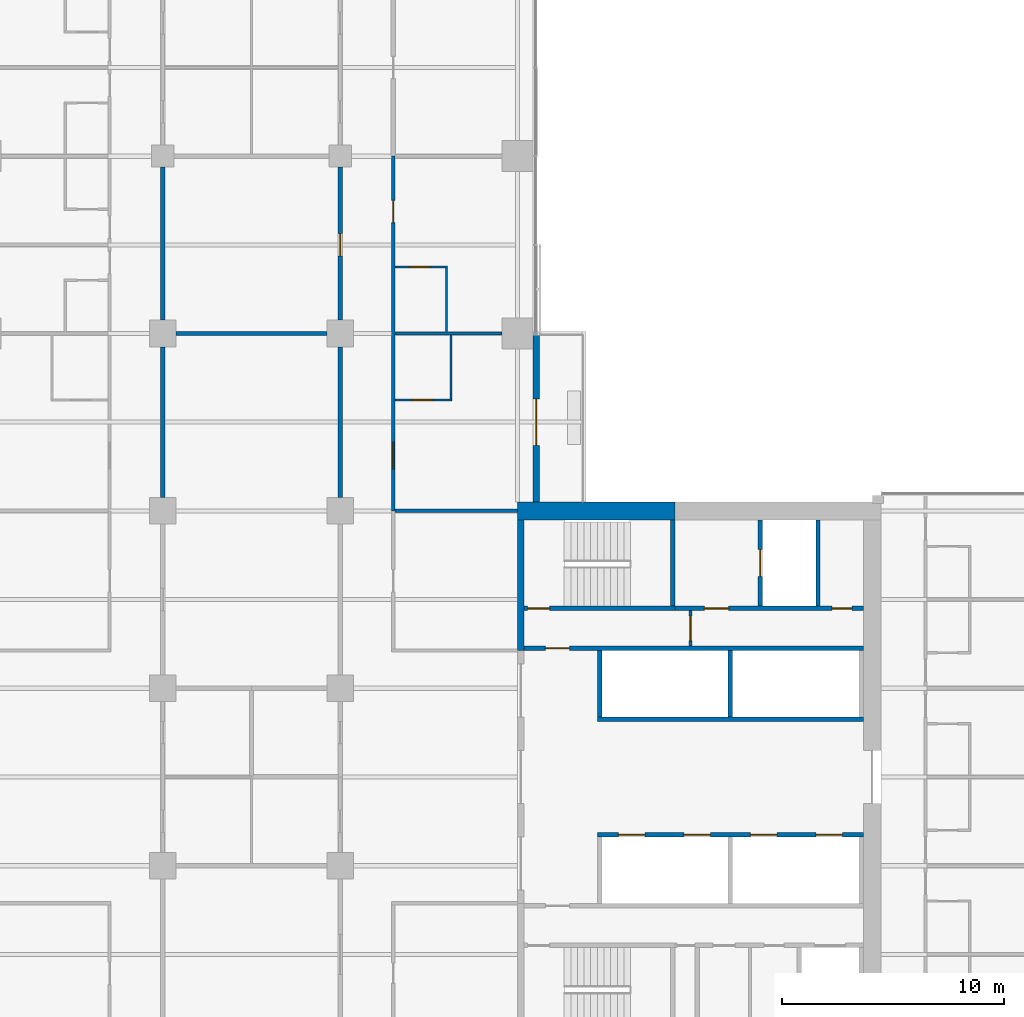
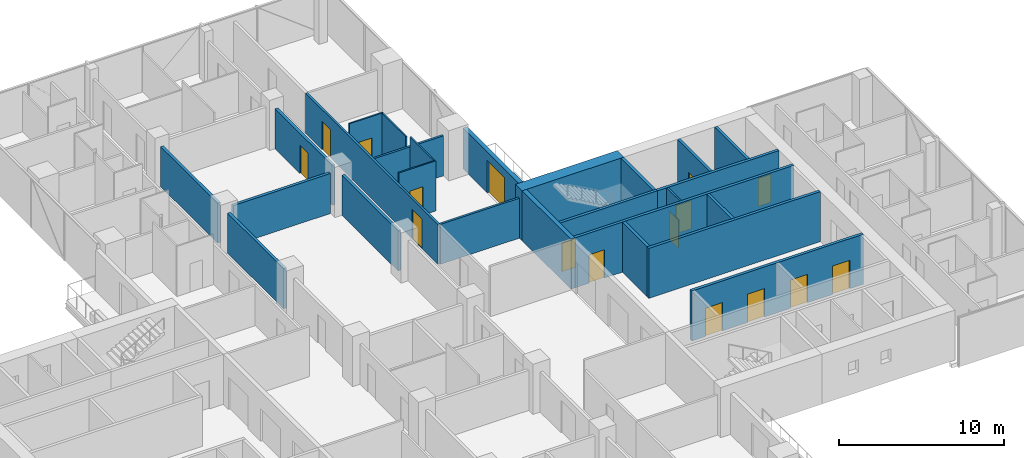
# One storey, part 20 of 27: 26 walls, 16 doors, 16 openings.
"""IFC4 building model written with IfcOpenShell, lengths in metres."""

import ifcopenshell
import ifcopenshell.guid

model = None  # the IFC model being written
_history = None  # IfcOwnerHistory: only IFC2X3 demands one
_inside = {}  # id of a spatial element -> (the spatial element, [elements in it])
_under = {}  # id of a project, library or spatial element -> (it, [spatial elements below it])
_declared = {}  # id of a project -> (the project, [libraries it declares])
_typed = {}  # id of a type object -> (the type object, [elements of that type])
_made_of = {}  # id of a material, layer set ... -> (it, [elements and type objects made of it])


def new_model(schema):
    """Start an empty IFC model of exactly this schema.

    Asked for "IFC4X3", IfcOpenShell would pick the latest addendum, in which some entities
    have other attributes; the version numbers below select the first issue.
    IFC2X3 requires an IfcOwnerHistory on every rooted entity: one is made here for all.
    """
    global model, _history
    if schema == "IFC4X3":
        model = ifcopenshell.file(schema_version=(4, 3, 0, 0))
    else:
        model = ifcopenshell.file(schema=schema)
    _inside.clear()
    _under.clear()
    _declared.clear()
    _typed.clear()
    _made_of.clear()
    _history = None
    if model.schema == "IFC2X3":
        org = make("IfcOrganization", Name="unknown")
        user = make(
            "IfcPersonAndOrganization",
            ThePerson=make("IfcPerson", FamilyName="unknown"),
            TheOrganization=org,
        )
        app = make(
            "IfcApplication",
            ApplicationDeveloper=org,
            Version="unknown",
            ApplicationFullName="unknown",
            ApplicationIdentifier="unknown",
        )
        _history = make(
            "IfcOwnerHistory",
            OwningUser=user,
            OwningApplication=app,
            ChangeAction="ADDED",
            CreationDate=0,
        )
    return model


def make(cls, **values):
    """One entity of the class cls with the attributes given. An attribute that is None is left unset."""
    return model.create_entity(
        cls, **{name: value for name, value in values.items() if value is not None}
    )


def rooted(cls, **values):
    """An entity with a GlobalId (a new one), such as an element, a storey or a relation."""
    return make(cls, GlobalId=ifcopenshell.guid.new(), OwnerHistory=_history, **values)


def si_unit(unit_type, name, prefix=None):
    """IfcSIUnit, for example si_unit("LENGTHUNIT", "METRE", prefix="MILLI")."""
    return make("IfcSIUnit", UnitType=unit_type, Prefix=prefix, Name=name)


def assignment(units):
    """IfcUnitAssignment: the units of a project."""
    return None if units is None else make("IfcUnitAssignment", Units=units)


def point(xyz):
    """IfcCartesianPoint."""
    return None if xyz is None else make("IfcCartesianPoint", Coordinates=xyz)


def direction(xyz):
    """IfcDirection."""
    return None if xyz is None else make("IfcDirection", DirectionRatios=xyz)


def frame(location, z_axis=None, x_axis=None):
    """IfcAxis2Placement3D, a coordinate frame: its origin and axes. An axis left out is left unset."""
    return make(
        "IfcAxis2Placement3D",
        Location=point(location),
        Axis=direction(z_axis),
        RefDirection=direction(x_axis),
    )


def frame_2d(location, x_axis=None):
    """IfcAxis2Placement2D, a coordinate frame in the plane: its origin and x axis."""
    return make(
        "IfcAxis2Placement2D", Location=point(location), RefDirection=direction(x_axis)
    )


def origin():
    """The frame at (0, 0, 0) with its axes left unset."""
    return frame((0.0, 0.0, 0.0))


def place(relative_to, where):
    """IfcLocalPlacement: puts the frame where relative to a parent placement (None: the world)."""
    return make(
        "IfcLocalPlacement", PlacementRelTo=relative_to, RelativePlacement=where
    )


def context(
    kind, dimensions, precision=None, world=None, true_north=None, identifier=None
):
    """IfcGeometricRepresentationContext, for example the 3D "Model" context."""
    return make(
        "IfcGeometricRepresentationContext",
        ContextIdentifier=identifier,
        ContextType=kind,
        CoordinateSpaceDimension=dimensions,
        Precision=precision,
        WorldCoordinateSystem=world,
        TrueNorth=true_north,
    )


def subcontext(parent, identifier, kind, view, scale=None):
    """IfcGeometricRepresentationSubContext, for example "Body" below "Model"."""
    return make(
        "IfcGeometricRepresentationSubContext",
        ContextIdentifier=identifier,
        ContextType=kind,
        ParentContext=parent,
        TargetScale=scale,
        TargetView=view,
    )


def project(units=None, contexts=None):
    """IfcProject with its units and contexts."""
    return rooted(
        "IfcProject",
        Name="project",
        RepresentationContexts=contexts,
        UnitsInContext=assignment(units),
    )


def spatial(cls, under=None, at=None, **own):
    """A site, building, storey or space (cls), placed at a placement, below another one or the project."""
    s = rooted(cls, ObjectPlacement=at, **own)
    if under is not None:
        _under.setdefault(under.id(), (under, []))[1].append(s)
    return s


def profile(cls, at=None, kind="AREA", **sizes):
    """A parametric profile (cls). Its sizes go by their IFC names, for example OverallWidth=200.0."""
    return make(cls, ProfileType=kind, Position=at, **sizes)


def rectangle(**sizes):
    """IfcRectangleProfileDef."""
    return profile("IfcRectangleProfileDef", **sizes)


def extrude(swept, where, along, depth):
    """IfcExtrudedAreaSolid: the profile swept, set in the frame where, extruded along a direction by depth."""
    return make(
        "IfcExtrudedAreaSolid",
        SweptArea=swept,
        Position=where,
        ExtrudedDirection=direction(along),
        Depth=depth,
    )


def shape(context_of_items, identifier, shape_type, items):
    """IfcShapeRepresentation: the items that make up one representation, for example the "Body"."""
    return make(
        "IfcShapeRepresentation",
        ContextOfItems=context_of_items,
        RepresentationIdentifier=identifier,
        RepresentationType=shape_type,
        Items=items,
    )


def material(Name=None, Category=None):
    """IfcMaterial."""
    return make("IfcMaterial", Name=Name, Category=Category)


def layer(
    of_material, thickness, ventilated=None, Name=None, Category=None, Priority=None
):
    """IfcMaterialLayer: one layer of a wall or slab, of a material (None: an air gap)."""
    return make(
        "IfcMaterialLayer",
        Material=of_material,
        LayerThickness=thickness,
        IsVentilated=ventilated,
        Name=Name,
        Category=Category,
        Priority=Priority,
    )


def layer_set(layers, Name=None):
    """IfcMaterialLayerSet."""
    return make("IfcMaterialLayerSet", MaterialLayers=layers, LayerSetName=Name)


def constituent(of_material, Name=None, Category=None, fraction=None):
    """IfcMaterialConstituent: one of the materials an element consists of."""
    return make(
        "IfcMaterialConstituent",
        Name=Name,
        Material=of_material,
        Fraction=fraction,
        Category=Category,
    )


def constituent_set(constituents=None, Name=None):
    """IfcMaterialConstituentSet."""
    return make(
        "IfcMaterialConstituentSet", Name=Name, MaterialConstituents=constituents
    )


def made_of(thing, what):
    """Note that an element or type object is made of a material, layer set ...; save() writes the relation."""
    if what is not None:
        _made_of.setdefault(what.id(), (what, []))[1].append(thing)
    return thing


def type_object(cls, material=None, **own):
    """A type object (cls), such as IfcWallType, which elements share."""
    return made_of(rooted(cls, **own), material)


def element(
    cls,
    number,
    at=None,
    inside=None,
    cuts=None,
    type_object=None,
    material=None,
    context=None,
    identifier="Body",
    shape_type=None,
    held_by="IfcProductDefinitionShape",
    body=None,
    shapes=None,
    **own,
):
    """One element of the class cls, such as IfcWall. Its Tag is "e" and its number.

    at: its placement. inside: the storey or other place that contains it. cuts: it is an
    opening in that element (IfcRelVoidsElement). A single representation is given by context,
    identifier, shape_type and body (its items); several are given by shapes. held_by: the class
    of the entity that holds the representations. save() writes the other relations.
    """
    e = rooted(cls, Tag="e%d" % number, ObjectPlacement=at, **own)
    if body is not None:
        shapes = [shape(context, identifier, shape_type, body)]
    if shapes is not None:
        e.Representation = make(held_by, Representations=shapes)
    if inside is not None:
        _inside.setdefault(inside.id(), (inside, []))[1].append(e)
    if cuts is not None:
        rooted(
            "IfcRelVoidsElement", RelatingBuildingElement=cuts, RelatedOpeningElement=e
        )
    if type_object is not None:
        _typed.setdefault(type_object.id(), (type_object, []))[1].append(e)
    return made_of(e, material)


def fill(opening, filler):
    """IfcRelFillsElement: the door or window that sits in an opening."""
    return rooted(
        "IfcRelFillsElement",
        RelatingOpeningElement=opening,
        RelatedBuildingElement=filler,
    )


def aggregate(whole, parts):
    """IfcRelAggregates: a whole, such as a stair, and the parts it consists of."""
    return rooted("IfcRelAggregates", RelatingObject=whole, RelatedObjects=parts)


def save(model, path):
    """Write the relations noted so far, then the file.

    IfcRelAggregates (storeys below a building ...), IfcRelContainedInSpatialStructure (elements
    in a storey), IfcRelDefinesByType, IfcRelAssociatesMaterial and IfcRelDeclares: one each for
    every whole, place, type object, material and project.
    """
    for whole, parts in _under.values():
        aggregate(whole, parts)
    for where, things in _inside.values():
        rooted(
            "IfcRelContainedInSpatialStructure",
            RelatedElements=things,
            RelatingStructure=where,
        )
    for kind, things in _typed.values():
        rooted("IfcRelDefinesByType", RelatedObjects=things, RelatingType=kind)
    for what, things in _made_of.values():
        rooted("IfcRelAssociatesMaterial", RelatedObjects=things, RelatingMaterial=what)
    for by, libraries in _declared.values():
        rooted("IfcRelDeclares", RelatingContext=by, RelatedDefinitions=libraries)
    model.write(path)


model = new_model("IFC4")

# Units and contexts
model_context = context("Model", 3, precision=1e-05, world=origin(), true_north=direction((0.0, 1.0)))
body_context = subcontext(model_context, "Body", "Model", "MODEL_VIEW")
ifc_project = project(units=[si_unit("LENGTHUNIT", "METRE"), si_unit("AREAUNIT", "SQUARE_METRE"), si_unit("VOLUMEUNIT", "CUBIC_METRE"), si_unit("PLANEANGLEUNIT", "RADIAN"), si_unit("MASSUNIT", "GRAM", prefix="KILO")], contexts=[model_context])

# Site, building, storey
site_placement = place(None, origin())
site = spatial("IfcSite", under=ifc_project, at=site_placement, CompositionType="ELEMENT")
building_placement = place(site_placement, origin())
building = spatial("IfcBuilding", under=site, at=building_placement, Name="Crosswind Convention Tower", CompositionType="ELEMENT")
storey_placement = place(building_placement, frame((0.0, 0.0, 90.5)))
storey = spatial("IfcBuildingStorey", under=building, at=storey_placement, Name="L17", CompositionType="ELEMENT", Elevation=90.5)

# Walls
ifc_material_1 = material(Name="Concrete C50/60", Category="concrete")
ifc_layer_1 = layer(ifc_material_1, 0.300048828125)
ifc_layer_set_1 = layer_set([ifc_layer_1], Name="Concrete C50/60")
wall_type_1 = type_object("IfcWallType", Name="Concrete inner core wall 300", PredefinedType="SHEAR", material=ifc_layer_set_1)
wall_1_placement = place(storey_placement, frame((137.14990234375, 105.699951171875, 0.0), z_axis=(0.0, 0.0, 1.0), x_axis=(0.0, 1.0, 0.0)))
element("IfcWall", 1, at=wall_1_placement, inside=storey, type_object=wall_type_1, Name="Wall EP E L17", PredefinedType="SHEAR", context=body_context, shape_type="SweptSolid", body=[
    extrude(rectangle(XDim=5.900146484375, YDim=0.300048828125, at=frame_2d((2.9501953125, 0.0))), origin(), (0.0, 0.0, 1.0), 3.699951171875),
])
ifc_layer_2 = layer(ifc_material_1, 0.199951171875)
ifc_layer_set_2 = layer_set([ifc_layer_2], Name="Concrete C50/60")
wall_type_2 = type_object("IfcWallType", Name="Concrete shaft and stair wall 200", PredefinedType="SHEAR", material=ifc_layer_set_2)
for number, where, z_axis, x_axis, name in (
    (2, (140.699951171875, 102.699951171875, 0.0), (0.0, 0.0, 1.0), (0.0, 1.0, 0.0), "Wall RPEND E L17"),
    (3, (146.60009765625, 102.699951171875, 0.0), (0.0, 0.0, 1.0), (0.0, 1.0, 0.0), "Wall RPSEP E L17"),
):
    element("IfcWall", number, at=place(storey_placement, frame(where, z_axis=z_axis, x_axis=x_axis)), inside=storey, type_object=wall_type_2, Name=name, PredefinedType="SHEAR", context=body_context, shape_type="SweptSolid", body=[
        extrude(rectangle(XDim=3.0, YDim=0.199951171875, at=frame_2d((1.5, 0.0))), origin(), (0.0, 0.0, 1.0), 3.699951171875),
    ])
wall_2_placement = place(storey_placement, frame((140.60009765625, 102.60009765625, 0.0), z_axis=(0.0, 0.0, 1.0), x_axis=(1.0, 0.0, 0.0)))
element("IfcWall", 4, at=wall_2_placement, inside=storey, type_object=wall_type_2, Name="Wall RPFRONT E L17", PredefinedType="SHEAR", context=body_context, shape_type="SweptSolid", body=[
    extrude(rectangle(XDim=12.0, YDim=0.199951171875, at=frame_2d((6.0, 0.0))), origin(), (0.0, 0.0, 1.0), 3.699951171875),
])

# Wall, openings, doors
wall_3_placement = place(storey_placement, frame((140.60009765625, 97.39990234375, 0.0), z_axis=(0.0, 0.0, 1.0), x_axis=(1.0, 0.0, 0.0)))
wall_3 = element("IfcWall", 5, at=wall_3_placement, inside=storey, type_object=wall_type_2, Name="Wall RMFRONT E L17", PredefinedType="SHEAR", context=body_context, shape_type="SweptSolid", body=[
    extrude(rectangle(XDim=12.0, YDim=0.199951171875, at=frame_2d((6.0, 0.0))), origin(), (0.0, 0.0, 1.0), 3.699951171875),
])
opening_1_placement = place(wall_3_placement, frame((0.949951171875, 0.0, 0.0)))
opening_1 = element("IfcOpeningElement", 6, at=opening_1_placement, cuts=wall_3, Name="Opening LD1", PredefinedType="OPENING", context=body_context, shape_type="SweptSolid", body=[
    extrude(rectangle(XDim=1.199951171875, YDim=2.10009765625, at=frame_2d((0.60009765625, 1.050048828125))), frame((0.0, 0.10986328125, 0.0), z_axis=(0.0, -1.0, 0.0), x_axis=(1.0, 0.0, 0.0)), (0.0, 0.0, 1.0), 0.219970703125),
])
opening_2_placement = place(wall_3_placement, frame((3.89990234375, 0.0, 0.0)))
opening_2 = element("IfcOpeningElement", 7, at=opening_2_placement, cuts=wall_3, Name="Opening LD1", PredefinedType="OPENING", context=body_context, shape_type="SweptSolid", body=[
    extrude(rectangle(XDim=1.199951171875, YDim=2.10009765625, at=frame_2d((0.60009765625, 1.050048828125))), frame((0.0, 0.10986328125, 0.0), z_axis=(0.0, -1.0, 0.0), x_axis=(1.0, 0.0, 0.0)), (0.0, 0.0, 1.0), 0.219970703125),
])
opening_3_placement = place(wall_3_placement, frame((6.89990234375, 0.0, 0.0)))
opening_3 = element("IfcOpeningElement", 8, at=opening_3_placement, cuts=wall_3, Name="Opening LD1", PredefinedType="OPENING", context=body_context, shape_type="SweptSolid", body=[
    extrude(rectangle(XDim=1.199951171875, YDim=2.10009765625, at=frame_2d((0.60009765625, 1.050048828125))), frame((0.0, 0.10986328125, 0.0), z_axis=(0.0, -1.0, 0.0), x_axis=(1.0, 0.0, 0.0)), (0.0, 0.0, 1.0), 0.219970703125),
])
opening_4_placement = place(wall_3_placement, frame((9.85009765625, 0.0, 0.0)))
opening_4 = element("IfcOpeningElement", 9, at=opening_4_placement, cuts=wall_3, Name="Opening LD1", PredefinedType="OPENING", context=body_context, shape_type="SweptSolid", body=[
    extrude(rectangle(XDim=1.199951171875, YDim=2.10009765625, at=frame_2d((0.60009765625, 1.050048828125))), frame((0.0, 0.10986328125, 0.0), z_axis=(0.0, -1.0, 0.0), x_axis=(1.0, 0.0, 0.0)), (0.0, 0.0, 1.0), 0.219970703125),
])
ifc_material_2 = material(Name="Stainless steel", Category="steel")
door_type_1 = type_object("IfcDoorType", Name="Lift landing door 1200x2100", OperationType="DOUBLE_DOOR_SLIDING", PredefinedType="DOOR", material=ifc_material_2)
door_1_placement = place(opening_1_placement, origin())
door_1 = element("IfcDoor", 10, at=door_1_placement, inside=storey, type_object=door_type_1, Name="Landing door H1 L17", ObjectType="LD1", OperationType="DOUBLE_DOOR_SLIDING", OverallHeight=2.10009765625, OverallWidth=1.199951171875, PredefinedType="DOOR", context=body_context, shape_type="SweptSolid", body=[
    extrude(rectangle(XDim=1.199951171875, YDim=2.10009765625, at=frame_2d((0.60009765625, 1.050048828125))), frame((0.0, 0.02490234375, 0.0), z_axis=(0.0, -1.0, 0.0), x_axis=(1.0, 0.0, 0.0)), (0.0, 0.0, 1.0), 0.050048828125),
])
fill(opening_1, door_1)
door_2_placement = place(opening_2_placement, origin())
door_2 = element("IfcDoor", 11, at=door_2_placement, inside=storey, type_object=door_type_1, Name="Landing door H2 L17", ObjectType="LD1", OperationType="DOUBLE_DOOR_SLIDING", OverallHeight=2.10009765625, OverallWidth=1.199951171875, PredefinedType="DOOR", context=body_context, shape_type="SweptSolid", body=[
    extrude(rectangle(XDim=1.199951171875, YDim=2.10009765625, at=frame_2d((0.60009765625, 1.050048828125))), frame((0.0, 0.02490234375, 0.0), z_axis=(0.0, -1.0, 0.0), x_axis=(1.0, 0.0, 0.0)), (0.0, 0.0, 1.0), 0.050048828125),
])
fill(opening_2, door_2)
door_3_placement = place(opening_3_placement, origin())
door_3 = element("IfcDoor", 12, at=door_3_placement, inside=storey, type_object=door_type_1, Name="Landing door H3 L17", ObjectType="LD1", OperationType="DOUBLE_DOOR_SLIDING", OverallHeight=2.10009765625, OverallWidth=1.199951171875, PredefinedType="DOOR", context=body_context, shape_type="SweptSolid", body=[
    extrude(rectangle(XDim=1.199951171875, YDim=2.10009765625, at=frame_2d((0.60009765625, 1.050048828125))), frame((0.0, 0.02490234375, 0.0), z_axis=(0.0, -1.0, 0.0), x_axis=(1.0, 0.0, 0.0)), (0.0, 0.0, 1.0), 0.050048828125),
])
fill(opening_3, door_3)
door_4_placement = place(opening_4_placement, origin())
door_4 = element("IfcDoor", 13, at=door_4_placement, inside=storey, type_object=door_type_1, Name="Landing door H4 L17", ObjectType="LD1", OperationType="DOUBLE_DOOR_SLIDING", OverallHeight=2.10009765625, OverallWidth=1.199951171875, PredefinedType="DOOR", context=body_context, shape_type="SweptSolid", body=[
    extrude(rectangle(XDim=1.199951171875, YDim=2.10009765625, at=frame_2d((0.60009765625, 1.050048828125))), frame((0.0, 0.02490234375, 0.0), z_axis=(0.0, -1.0, 0.0), x_axis=(1.0, 0.0, 0.0)), (0.0, 0.0, 1.0), 0.050048828125),
])
fill(opening_4, door_4)

# Wall, opening, door
wall_4_placement = place(storey_placement, frame((137.300048828125, 105.800048828125, 0.0), z_axis=(0.0, 0.0, 1.0), x_axis=(1.0, 0.0, 0.0)))
wall_4 = element("IfcWall", 14, at=wall_4_placement, inside=storey, type_object=wall_type_2, Name="Wall HP E L17", PredefinedType="SHEAR", context=body_context, shape_type="SweptSolid", body=[
    extrude(rectangle(XDim=15.300048828125, YDim=0.199951171875, at=frame_2d((7.64990234375, 0.0))), origin(), (0.0, 0.0, 1.0), 3.699951171875),
])
opening_5_placement = place(wall_4_placement, frame((0.949951171875, 0.0, 0.0)))
opening_5 = element("IfcOpeningElement", 15, at=opening_5_placement, cuts=wall_4, Name="Opening D104", PredefinedType="OPENING", context=body_context, shape_type="SweptSolid", body=[
    extrude(rectangle(XDim=1.10009765625, YDim=2.10009765625, at=frame_2d((0.550048828125, 1.050048828125))), frame((0.0, 0.10986328125, 0.0), z_axis=(0.0, -1.0, 0.0), x_axis=(1.0, 0.0, 0.0)), (0.0, 0.0, 1.0), 0.219970703125),
])
ifc_material_3 = material(Name="Steel fire door", Category="steel")
door_type_2 = type_object("IfcDoorType", Name="Fire-rated single door 1100x2100", OperationType="NOTDEFINED", PredefinedType="DOOR", material=ifc_material_3)
door_5_placement = place(opening_5_placement, origin())
door_5 = element("IfcDoor", 16, at=door_5_placement, inside=storey, type_object=door_type_2, Name="Corridor door L17", ObjectType="D104", OperationType="SINGLE_SWING_LEFT", OverallHeight=2.10009765625, OverallWidth=1.10009765625, PredefinedType="DOOR", context=body_context, shape_type="SweptSolid", body=[
    extrude(rectangle(XDim=1.10009765625, YDim=2.10009765625, at=frame_2d((0.550048828125, 1.050048828125))), frame((0.0, 0.02490234375, 0.0), z_axis=(0.0, -1.0, 0.0), x_axis=(1.0, 0.0, 0.0)), (0.0, 0.0, 1.0), 0.050048828125),
])
fill(opening_5, door_5)

# Wall
wall_5_placement = place(storey_placement, frame((144.0, 107.699951171875, 0.0), z_axis=(0.0, 0.0, 1.0), x_axis=(0.0, 1.0, 0.0)))
element("IfcWall", 17, at=wall_5_placement, inside=storey, type_object=wall_type_2, Name="Wall PSE E L17", PredefinedType="SHEAR", context=body_context, shape_type="SweptSolid", body=[
    extrude(rectangle(XDim=3.900146484375, YDim=0.199951171875, at=frame_2d((1.9501953125, 0.0))), origin(), (0.0, 0.0, 1.0), 3.699951171875),
])

# Wall, opening, door
wall_6_placement = place(storey_placement, frame((147.949951171875, 107.699951171875, 0.0), z_axis=(0.0, 0.0, 1.0), x_axis=(0.0, 1.0, 0.0)))
wall_6 = element("IfcWall", 18, at=wall_6_placement, inside=storey, type_object=wall_type_2, Name="Wall PFLW E L17", PredefinedType="SHEAR", context=body_context, shape_type="SweptSolid", body=[
    extrude(rectangle(XDim=3.900146484375, YDim=0.199951171875, at=frame_2d((1.9501953125, 0.0))), origin(), (0.0, 0.0, 1.0), 3.699951171875),
])
opening_6_placement = place(wall_6_placement, frame((1.35009765625, 0.0, 0.0)))
opening_6 = element("IfcOpeningElement", 19, at=opening_6_placement, cuts=wall_6, Name="Opening LD1", PredefinedType="OPENING", context=body_context, shape_type="SweptSolid", body=[
    extrude(rectangle(XDim=1.199951171875, YDim=2.10009765625, at=frame_2d((0.60009765625, 1.050048828125))), frame((0.0, 0.10986328125, 0.0), z_axis=(0.0, -1.0, 0.0), x_axis=(1.0, 0.0, 0.0)), (0.0, 0.0, 1.0), 0.219970703125),
])
door_6_placement = place(opening_6_placement, origin())
door_6 = element("IfcDoor", 20, at=door_6_placement, inside=storey, type_object=door_type_1, Name="Landing door FF1 L17", ObjectType="LD1", OperationType="DOUBLE_DOOR_SLIDING", OverallHeight=2.10009765625, OverallWidth=1.199951171875, PredefinedType="DOOR", context=body_context, shape_type="SweptSolid", body=[
    extrude(rectangle(XDim=1.199951171875, YDim=2.10009765625, at=frame_2d((0.60009765625, 1.050048828125))), frame((0.0, 0.02490234375, 0.0), z_axis=(0.0, -1.0, 0.0), x_axis=(1.0, 0.0, 0.0)), (0.0, 0.0, 1.0), 0.050048828125),
])
fill(opening_6, door_6)

# Wall
wall_7_placement = place(storey_placement, frame((150.550048828125, 107.699951171875, 0.0), z_axis=(0.0, 0.0, 1.0), x_axis=(0.0, 1.0, 0.0)))
element("IfcWall", 21, at=wall_7_placement, inside=storey, type_object=wall_type_2, Name="Wall PFSE E L17", PredefinedType="SHEAR", context=body_context, shape_type="SweptSolid", body=[
    extrude(rectangle(XDim=3.900146484375, YDim=0.199951171875, at=frame_2d((1.9501953125, 0.0))), origin(), (0.0, 0.0, 1.0), 3.699951171875),
])

# Wall, opening, door
wall_8_placement = place(storey_placement, frame((137.300048828125, 107.60009765625, 0.0), z_axis=(0.0, 0.0, 1.0), x_axis=(1.0, 0.0, 0.0)))
wall_8 = element("IfcWall", 22, at=wall_8_placement, inside=storey, type_object=wall_type_2, Name="Wall PCW E L17", PredefinedType="SHEAR", context=body_context, shape_type="SweptSolid", body=[
    extrude(rectangle(XDim=6.800048828125, YDim=0.199951171875, at=frame_2d((3.39990234375, 0.0))), origin(), (0.0, 0.0, 1.0), 3.699951171875),
])
opening_7_placement = place(wall_8_placement, frame((0.14990234375, 0.0, 0.0)))
opening_7 = element("IfcOpeningElement", 23, at=opening_7_placement, cuts=wall_8, Name="Opening D103", PredefinedType="OPENING", context=body_context, shape_type="SweptSolid", body=[
    extrude(rectangle(XDim=1.0, YDim=2.10009765625, at=frame_2d((0.5, 1.050048828125))), frame((0.0, 0.10986328125, 0.0), z_axis=(0.0, -1.0, 0.0), x_axis=(1.0, 0.0, 0.0)), (0.0, 0.0, 1.0), 0.219970703125),
])
door_type_3 = type_object("IfcDoorType", Name="Fire-rated single door 1000x2100", OperationType="NOTDEFINED", PredefinedType="DOOR", material=ifc_material_3)
door_7_placement = place(opening_7_placement, origin())
door_7 = element("IfcDoor", 24, at=door_7_placement, inside=storey, type_object=door_type_3, Name="Stair ST1 door L17", ObjectType="D103", OperationType="SINGLE_SWING_LEFT", OverallHeight=2.10009765625, OverallWidth=1.0, PredefinedType="DOOR", context=body_context, shape_type="SweptSolid", body=[
    extrude(rectangle(XDim=1.0, YDim=2.10009765625, at=frame_2d((0.5, 1.050048828125))), frame((0.0, 0.02490234375, 0.0), z_axis=(0.0, -1.0, 0.0), x_axis=(1.0, 0.0, 0.0)), (0.0, 0.0, 1.0), 0.050048828125),
])
fill(opening_7, door_7)

# Wall, openings, doors
wall_9_placement = place(storey_placement, frame((144.10009765625, 107.60009765625, 0.0), z_axis=(0.0, 0.0, 1.0), x_axis=(1.0, 0.0, 0.0)))
wall_9 = element("IfcWall", 25, at=wall_9_placement, inside=storey, type_object=wall_type_2, Name="Wall PCX E L17", PredefinedType="SHEAR", context=body_context, shape_type="SweptSolid", body=[
    extrude(rectangle(XDim=8.5, YDim=0.199951171875, at=frame_2d((4.25, 0.0))), origin(), (0.0, 0.0, 1.0), 3.699951171875),
])
opening_8_placement = place(wall_9_placement, frame((1.324951171875, 0.0, 0.0)))
opening_8 = element("IfcOpeningElement", 26, at=opening_8_placement, cuts=wall_9, Name="Opening D104", PredefinedType="OPENING", context=body_context, shape_type="SweptSolid", body=[
    extrude(rectangle(XDim=1.10009765625, YDim=2.10009765625, at=frame_2d((0.550048828125, 1.050048828125))), frame((0.0, 0.10986328125, 0.0), z_axis=(0.0, -1.0, 0.0), x_axis=(1.0, 0.0, 0.0)), (0.0, 0.0, 1.0), 0.219970703125),
])
opening_9_placement = place(wall_9_placement, frame((7.074951171875, 0.0, 0.0)))
opening_9 = element("IfcOpeningElement", 27, at=opening_9_placement, cuts=wall_9, Name="Opening D106", PredefinedType="OPENING", context=body_context, shape_type="SweptSolid", body=[
    extrude(rectangle(XDim=0.89990234375, YDim=2.10009765625, at=frame_2d((0.449951171875, 1.050048828125))), frame((0.0, 0.10986328125, 0.0), z_axis=(0.0, -1.0, 0.0), x_axis=(1.0, 0.0, 0.0)), (0.0, 0.0, 1.0), 0.219970703125),
])
door_8_placement = place(opening_8_placement, origin())
door_8 = element("IfcDoor", 28, at=door_8_placement, inside=storey, type_object=door_type_2, Name="Fire-fighting lobby FF1 door L17", ObjectType="D104", OperationType="SINGLE_SWING_RIGHT", OverallHeight=2.10009765625, OverallWidth=1.10009765625, PredefinedType="DOOR", context=body_context, shape_type="SweptSolid", body=[
    extrude(rectangle(XDim=1.10009765625, YDim=2.10009765625, at=frame_2d((0.550048828125, 1.050048828125))), frame((0.0, 0.02490234375, 0.0), z_axis=(0.0, -1.0, 0.0), x_axis=(1.0, 0.0, 0.0)), (0.0, 0.0, 1.0), 0.050048828125),
])
fill(opening_8, door_8)
ifc_material_4 = material(Name="Timber door", Category="wood")
door_type_4 = type_object("IfcDoorType", Name="Single leaf door 900x2100", OperationType="NOTDEFINED", PredefinedType="DOOR", material=ifc_material_4)
door_9_placement = place(opening_9_placement, origin())
door_9 = element("IfcDoor", 29, at=door_9_placement, inside=storey, type_object=door_type_4, Name="Door to electrical room L17", ObjectType="D106", OperationType="SINGLE_SWING_RIGHT", OverallHeight=2.10009765625, OverallWidth=0.89990234375, PredefinedType="DOOR", context=body_context, shape_type="SweptSolid", body=[
    extrude(rectangle(XDim=0.89990234375, YDim=2.10009765625, at=frame_2d((0.449951171875, 1.050048828125))), frame((0.0, 0.02490234375, 0.0), z_axis=(0.0, -1.0, 0.0), x_axis=(1.0, 0.0, 0.0)), (0.0, 0.0, 1.0), 0.050048828125),
])
fill(opening_9, door_9)

# Wall, opening, door
ifc_material_5 = material(Name="Gypsum plasterboard partition", Category="gypsum")
ifc_layer_3 = layer(ifc_material_5, 0.125)
ifc_layer_set_3 = layer_set([ifc_layer_3], Name="Drywall partition wall 125")
wall_type_3 = type_object("IfcWallType", Name="Drywall partition wall 125", PredefinedType="PARTITIONING", material=ifc_layer_set_3)
wall_10_placement = place(storey_placement, frame((144.800048828125, 105.89990234375, 0.0), z_axis=(0.0, 0.0, 1.0), x_axis=(0.0, 1.0, 0.0)))
wall_10 = element("IfcWall", 30, at=wall_10_placement, inside=storey, type_object=wall_type_3, Name="Wall PXC1 E L17", PredefinedType="PARTITIONING", context=body_context, shape_type="SweptSolid", body=[
    extrude(rectangle(XDim=1.60009765625, YDim=0.125, at=frame_2d((0.800048828125, 0.0))), origin(), (0.0, 0.0, 1.0), 3.699951171875),
])
opening_10_placement = place(wall_10_placement, frame((0.25, 0.0, 0.0)))
opening_10 = element("IfcOpeningElement", 31, at=opening_10_placement, cuts=wall_10, Name="Opening D104", PredefinedType="OPENING", context=body_context, shape_type="SweptSolid", body=[
    extrude(rectangle(XDim=1.10009765625, YDim=2.10009765625, at=frame_2d((0.550048828125, 1.050048828125))), frame((0.0, 0.072509765625, 0.0), z_axis=(0.0, -1.0, 0.0), x_axis=(1.0, 0.0, 0.0)), (0.0, 0.0, 1.0), 0.14501953125),
])
door_10_placement = place(opening_10_placement, origin())
door_10 = element("IfcDoor", 32, at=door_10_placement, inside=storey, type_object=door_type_2, Name="Corridor smoke door L17", ObjectType="D104", OperationType="SINGLE_SWING_RIGHT", OverallHeight=2.10009765625, OverallWidth=1.10009765625, PredefinedType="DOOR", context=body_context, shape_type="SweptSolid", body=[
    extrude(rectangle(XDim=1.10009765625, YDim=2.10009765625, at=frame_2d((0.550048828125, 1.050048828125))), frame((0.0, 0.02490234375, 0.0), z_axis=(0.0, -1.0, 0.0), x_axis=(1.0, 0.0, 0.0)), (0.0, 0.0, 1.0), 0.050048828125),
])
fill(opening_10, door_10)

# Walls
ifc_material_6 = material(Name="Acoustic plasterboard partition", Category="gypsum")
ifc_layer_4 = layer(ifc_material_6, 0.14990234375)
ifc_layer_set_4 = layer_set([ifc_layer_4], Name="GUEST ROOM WALL 150")
wall_type_4 = type_object("IfcWallType", Name="GUEST ROOM WALL 150", PredefinedType="PARTITIONING", material=ifc_layer_set_4)
wall_11_placement = place(storey_placement, frame((131.47509765625, 112.0, 0.0), z_axis=(0.0, 0.0, 1.0), x_axis=(1.0, 0.0, 0.0)))
element("IfcWall", 33, at=wall_11_placement, inside=storey, type_object=wall_type_4, Name="Guest Room Wall 49", PredefinedType="PARTITIONING", context=body_context, shape_type="SweptSolid", body=[
    extrude(rectangle(XDim=5.52490234375, YDim=0.14990234375, at=frame_2d((2.762451171875, 0.0))), origin(), (0.0, 0.0, 1.0), 2.956298828125),
])
wall_12_placement = place(storey_placement, frame((131.47509765625, 120.0, 0.0), z_axis=(0.0, 0.0, 1.0), x_axis=(1.0, 0.0, 0.0)))
element("IfcWall", 34, at=wall_12_placement, inside=storey, type_object=wall_type_4, Name="Guest Room Wall 54", PredefinedType="PARTITIONING", context=body_context, shape_type="SweptSolid", body=[
    extrude(rectangle(XDim=4.824951171875, YDim=0.14990234375, at=frame_2d((2.41259765625, 0.0))), origin(), (0.0, 0.0, 1.0), 2.959716796875),
])

# Wall, openings, doors
wall_13_placement = place(storey_placement, frame((131.39990234375, 112.0, 0.0), z_axis=(0.0, 0.0, 1.0), x_axis=(0.0, 1.0, 0.0)))
wall_13 = element("IfcWall", 35, at=wall_13_placement, inside=storey, type_object=wall_type_4, Name="Guest Room Wall 117", PredefinedType="PARTITIONING", context=body_context, shape_type="SweptSolid", body=[
    extrude(rectangle(XDim=16.0, YDim=0.14990234375, at=frame_2d((8.0, 0.0))), origin(), (0.0, 0.0, 1.0), 2.956298828125),
])
opening_11_placement = place(wall_13_placement, frame((1.89990234375, 0.0, 0.0)))
opening_11 = element("IfcOpeningElement", 36, at=opening_11_placement, cuts=wall_13, Name="Opening 17.005", PredefinedType="OPENING", context=body_context, shape_type="SweptSolid", body=[
    extrude(rectangle(XDim=1.199951171875, YDim=2.199951171875, at=frame_2d((0.60009765625, 1.10009765625))), frame((0.0, 0.0849609375, 0.0), z_axis=(0.0, -1.0, 0.0), x_axis=(1.0, 0.0, 0.0)), (0.0, 0.0, 1.0), 0.169921875),
])
opening_12_placement = place(wall_13_placement, frame((13.0, 0.0, 0.0)))
opening_12 = element("IfcOpeningElement", 37, at=opening_12_placement, cuts=wall_13, Name="Opening 17.007", PredefinedType="OPENING", context=body_context, shape_type="SweptSolid", body=[
    extrude(rectangle(XDim=1.0, YDim=2.10009765625, at=frame_2d((0.5, 1.050048828125))), frame((0.0, 0.0849609375, 0.0), z_axis=(0.0, -1.0, 0.0), x_axis=(1.0, 0.0, 0.0)), (0.0, 0.0, 1.0), 0.169921875),
])
ifc_material_7 = material(Name="Timber fire door", Category="wood")
door_type_5 = type_object("IfcDoorType", Name="GUEST ROOM DOOR 1000X2100", OperationType="NOTDEFINED", PredefinedType="DOOR", material=ifc_material_7)
door_11_placement = place(opening_12_placement, frame((1.0, 0.0, 0.0), z_axis=(0.0, 0.0, 1.0), x_axis=(-1.0, 0.0, 0.0)))
door_11 = element("IfcDoor", 38, at=door_11_placement, inside=storey, type_object=door_type_5, Name="Door 17.007", ObjectType="D1", OperationType="SINGLE_SWING_LEFT", OverallHeight=2.10009765625, OverallWidth=1.0, PredefinedType="DOOR", context=body_context, shape_type="SweptSolid", body=[
    extrude(rectangle(XDim=1.0, YDim=2.10009765625, at=frame_2d((0.5, 1.050048828125))), frame((0.0, 0.02490234375, 0.0), z_axis=(0.0, -1.0, 0.0), x_axis=(1.0, 0.0, 0.0)), (0.0, 0.0, 1.0), 0.050048828125),
])
fill(opening_12, door_11)
door_type_6 = type_object("IfcDoorType", Name="SUITE DOOR 1200X2200", OperationType="DOUBLE_DOOR_SINGLE_SWING", PredefinedType="DOOR", material=ifc_material_7)
door_12_placement = place(opening_11_placement, frame((1.199951171875, 0.0, 0.0), z_axis=(0.0, 0.0, 1.0), x_axis=(-1.0, 0.0, 0.0)))
door_12 = element("IfcDoor", 39, at=door_12_placement, inside=storey, type_object=door_type_6, Name="Door 17.005", ObjectType="D14", OperationType="DOUBLE_DOOR_SINGLE_SWING", OverallHeight=2.199951171875, OverallWidth=1.199951171875, PredefinedType="DOOR", context=body_context, shape_type="SweptSolid", body=[
    extrude(rectangle(XDim=1.199951171875, YDim=2.199951171875, at=frame_2d((0.60009765625, 1.10009765625))), frame((0.0, 0.02490234375, 0.0), z_axis=(0.0, -1.0, 0.0), x_axis=(1.0, 0.0, 0.0)), (0.0, 0.0, 1.0), 0.050048828125),
])
fill(opening_11, door_12)

# Walls
ifc_material_8 = material(Name="Double plasterboard partition", Category="gypsum")
ifc_layer_5 = layer(ifc_material_8, 0.199951171875)
ifc_layer_set_5 = layer_set([ifc_layer_5], Name="HALL WALL 200")
wall_type_5 = type_object("IfcWallType", Name="HALL WALL 200", PredefinedType="PARTITIONING", material=ifc_layer_set_5)
for number, where, z_axis, x_axis, name in (
    (40, (121.60009765625, 120.0, 0.0), (0.0, 0.0, 1.0), (1.0, 0.0, 0.0), "Hall Wall 53"),
    (41, (121.0, 112.60009765625, 0.0), (0.0, 0.0, 1.0), (0.0, 1.0, 0.0), "Hall Wall 90"),
):
    element("IfcWall", number, at=place(storey_placement, frame(where, z_axis=z_axis, x_axis=x_axis)), inside=storey, type_object=wall_type_5, Name=name, PredefinedType="PARTITIONING", context=body_context, shape_type="SweptSolid", body=[
        extrude(rectangle(XDim=6.7998046875, YDim=0.199951171875, at=frame_2d((3.39990234375, 0.0))), origin(), (0.0, 0.0, 1.0), 2.959716796875),
    ])
wall_14_placement = place(storey_placement, frame((121.0, 120.60009765625, 0.0), z_axis=(0.0, 0.0, 1.0), x_axis=(0.0, 1.0, 0.0)))
element("IfcWall", 42, at=wall_14_placement, inside=storey, type_object=wall_type_5, Name="Hall Wall 91", PredefinedType="PARTITIONING", context=body_context, shape_type="SweptSolid", body=[
    extrude(rectangle(XDim=6.89990234375, YDim=0.199951171875, at=frame_2d((3.449951171875, 0.0))), origin(), (0.0, 0.0, 1.0), 2.959716796875),
])
wall_15_placement = place(storey_placement, frame((129.0, 112.60009765625, 0.0), z_axis=(0.0, 0.0, 1.0), x_axis=(0.0, 1.0, 0.0)))
element("IfcWall", 43, at=wall_15_placement, inside=storey, type_object=wall_type_5, Name="Hall Wall 110", PredefinedType="PARTITIONING", context=body_context, shape_type="SweptSolid", body=[
    extrude(rectangle(XDim=6.7998046875, YDim=0.199951171875, at=frame_2d((3.39990234375, 0.0))), origin(), (0.0, 0.0, 1.0), 2.959716796875),
])

# Wall, opening, door
wall_16_placement = place(storey_placement, frame((129.0, 120.60009765625, 0.0), z_axis=(0.0, 0.0, 1.0), x_axis=(0.0, 1.0, 0.0)))
wall_16 = element("IfcWall", 44, at=wall_16_placement, inside=storey, type_object=wall_type_5, Name="Hall Wall 111", PredefinedType="PARTITIONING", context=body_context, shape_type="SweptSolid", body=[
    extrude(rectangle(XDim=6.89990234375, YDim=0.199951171875, at=frame_2d((3.449951171875, 0.0))), origin(), (0.0, 0.0, 1.0), 2.959716796875),
])
opening_13_placement = place(wall_16_placement, frame((2.89990234375, 0.0, 0.0)))
opening_13 = element("IfcOpeningElement", 45, at=opening_13_placement, cuts=wall_16, Name="Opening 17.063", PredefinedType="OPENING", context=body_context, shape_type="SweptSolid", body=[
    extrude(rectangle(XDim=1.0, YDim=2.10009765625, at=frame_2d((0.5, 1.050048828125))), frame((0.0, 0.10986328125, 0.0), z_axis=(0.0, -1.0, 0.0), x_axis=(1.0, 0.0, 0.0)), (0.0, 0.0, 1.0), 0.219970703125),
])
door_type_7 = type_object("IfcDoorType", Name="MEETING ROOM DOOR 1000X2100", OperationType="NOTDEFINED", PredefinedType="DOOR", material=ifc_material_7)
door_13_placement = place(opening_13_placement, frame((1.0, 0.0, 0.0), z_axis=(0.0, 0.0, 1.0), x_axis=(-1.0, 0.0, 0.0)))
door_13 = element("IfcDoor", 46, at=door_13_placement, inside=storey, type_object=door_type_7, Name="Door 17.063", ObjectType="D13", OperationType="SINGLE_SWING_RIGHT", OverallHeight=2.10009765625, OverallWidth=1.0, PredefinedType="DOOR", context=body_context, shape_type="SweptSolid", body=[
    extrude(rectangle(XDim=1.0, YDim=2.10009765625, at=frame_2d((0.5, 1.050048828125))), frame((0.0, 0.02490234375, 0.0), z_axis=(0.0, -1.0, 0.0), x_axis=(1.0, 0.0, 0.0)), (0.0, 0.0, 1.0), 0.050048828125),
])
fill(opening_13, door_13)

ifc_material_9 = material(Name="Terracotta rainscreen", Category="ceramic")
ifc_layer_6 = layer(ifc_material_9, 0.02001953125)
ifc_material_10 = material(Name="Mineral wool insulation", Category="insulation")
ifc_layer_7 = layer(ifc_material_10, 0.10009765625)
ifc_material_11 = material(Name="Concrete blockwork", Category="masonry")
ifc_layer_8 = layer(ifc_material_11, 0.179931640625)
ifc_layer_set_6 = layer_set([ifc_layer_6, ifc_layer_7, ifc_layer_8], Name="TERRACOTTA INFILL WALL 300")
wall_type_6 = type_object("IfcWallType", Name="TERRACOTTA INFILL WALL 300", PredefinedType="SOLIDWALL", material=ifc_layer_set_6)
wall_17_placement = place(storey_placement, frame((137.85009765625, 112.39990234375, 0.0), z_axis=(0.0, 0.0, 1.0), x_axis=(0.0, 1.0, 0.0)))
wall_17 = element("IfcWall", 47, at=wall_17_placement, inside=storey, type_object=wall_type_6, Name="Notch front wall L17 N-E.1-1", PredefinedType="SOLIDWALL", context=body_context, shape_type="SweptSolid", body=[
    extrude(rectangle(XDim=7.567626953125, YDim=0.300048828125, at=frame_2d((3.78369140625, 0.0))), origin(), (0.0, 0.0, 1.0), 3.013671875),
])
opening_14_placement = place(wall_17_placement, frame((2.550048828125, 0.0, 0.0)))
opening_14 = element("IfcOpeningElement", 48, at=opening_14_placement, cuts=wall_17, Name="Opening D141", PredefinedType="OPENING", context=body_context, shape_type="SweptSolid", body=[
    extrude(rectangle(XDim=2.10009765625, YDim=2.39990234375, at=frame_2d((1.050048828125, 1.199951171875))), frame((0.0, 0.159912109375, 0.0), z_axis=(0.0, -1.0, 0.0), x_axis=(1.0, 0.0, 0.0)), (0.0, 0.0, 1.0), 0.320068359375),
])
ifc_material_12 = material(Name="Aluminium glazed door", Category="aluminium")
door_type_8 = type_object("IfcDoorType", Name="BALCONY SLIDING DOOR 2100X2400", OperationType="SLIDING_TO_LEFT", PredefinedType="DOOR", material=ifc_material_12)
door_14_placement = place(opening_14_placement, frame((2.10009765625, 0.0, 0.0), z_axis=(0.0, 0.0, 1.0), x_axis=(-1.0, 0.0, 0.0)))
door_14 = element("IfcDoor", 49, at=door_14_placement, inside=storey, type_object=door_type_8, Name="D141 balcony door L17 N-E.1-1", ObjectType="D141", OperationType="SLIDING_TO_LEFT", OverallHeight=2.39990234375, OverallWidth=2.10009765625, PredefinedType="DOOR", context=body_context, shape_type="SweptSolid", body=[
    extrude(rectangle(XDim=2.10009765625, YDim=2.39990234375, at=frame_2d((1.050048828125, 1.199951171875))), frame((0.0, 0.02490234375, 0.0), z_axis=(0.0, -1.0, 0.0), x_axis=(1.0, 0.0, 0.0)), (0.0, 0.0, 1.0), 0.050048828125),
])
fill(opening_14, door_14)

# Wall
ifc_material_13 = material(Name="Concrete C60/75", Category="concrete")
ifc_constituent_1 = constituent(ifc_material_13, Name="Structure")
ifc_constituent_2 = constituent(ifc_material_9, Name="Facing")
ifc_constituent_set = constituent_set(constituents=[ifc_constituent_1, ifc_constituent_2], Name="Concrete C60/75, Terracotta rainscreen")
wall_type_7 = type_object("IfcWallType", Name="Terracotta rainscreen on concrete core wall 800", PredefinedType="SHEAR", material=ifc_constituent_set)
wall_18_placement = place(storey_placement, frame((137.0, 112.0, 0.0), z_axis=(0.0, 0.0, 1.0), x_axis=(1.0, 0.0, 0.0)))
element("IfcWall", 50, at=wall_18_placement, inside=storey, type_object=wall_type_7, Name="Wall N1 E L17", PredefinedType="SHEAR", context=body_context, shape_type="SweptSolid", body=[
    extrude(rectangle(XDim=7.10009765625, YDim=0.800048828125, at=frame_2d((3.550048828125, 0.0))), origin(), (0.0, 0.0, 1.0), 3.699951171875),
])

# Wall, opening, door
ifc_material_14 = material(Name="Water-resistant plasterboard partition", Category="gypsum")
ifc_layer_9 = layer(ifc_material_14, 0.10009765625)
ifc_layer_set_7 = layer_set([ifc_layer_9], Name="WET ROOM PARTITION 100")
wall_type_8 = type_object("IfcWallType", Name="WET ROOM PARTITION 100", PredefinedType="PLUMBINGWALL", material=ifc_layer_set_7)
wall_19_placement = place(storey_placement, frame((131.47509765625, 117.0, 0.0), z_axis=(0.0, 0.0, 1.0), x_axis=(1.0, 0.0, 0.0)))
wall_19 = element("IfcWall", 51, at=wall_19_placement, inside=storey, type_object=wall_type_8, Name="Wet Room Partition 51", PredefinedType="PLUMBINGWALL", context=body_context, shape_type="SweptSolid", body=[
    extrude(rectangle(XDim=2.574951171875, YDim=0.10009765625, at=frame_2d((1.28759765625, 0.0))), origin(), (0.0, 0.0, 1.0), 3.699951171875),
])
opening_15_placement = place(wall_19_placement, frame((0.77490234375, 0.0, 0.0)))
opening_15 = element("IfcOpeningElement", 52, at=opening_15_placement, cuts=wall_19, Name="Opening 17.006", PredefinedType="OPENING", context=body_context, shape_type="SweptSolid", body=[
    extrude(rectangle(XDim=0.89990234375, YDim=2.10009765625, at=frame_2d((0.449951171875, 1.050048828125))), frame((0.0, 0.06005859375, 0.0), z_axis=(0.0, -1.0, 0.0), x_axis=(1.0, 0.0, 0.0)), (0.0, 0.0, 1.0), 0.1201171875),
])
door_type_9 = type_object("IfcDoorType", Name="EN-SUITE DOOR 900X2100", OperationType="NOTDEFINED", PredefinedType="DOOR", material=ifc_material_4)
door_15_placement = place(opening_15_placement, origin())
door_15 = element("IfcDoor", 53, at=door_15_placement, inside=storey, type_object=door_type_9, Name="Door 17.006", ObjectType="D2", OperationType="SINGLE_SWING_RIGHT", OverallHeight=2.10009765625, OverallWidth=0.89990234375, PredefinedType="DOOR", context=body_context, shape_type="SweptSolid", body=[
    extrude(rectangle(XDim=0.89990234375, YDim=2.10009765625, at=frame_2d((0.449951171875, 1.050048828125))), frame((0.0, 0.02490234375, 0.0), z_axis=(0.0, -1.0, 0.0), x_axis=(1.0, 0.0, 0.0)), (0.0, 0.0, 1.0), 0.050048828125),
])
fill(opening_15, door_15)

wall_20_placement = place(storey_placement, frame((131.47509765625, 123.0, 0.0), z_axis=(0.0, 0.0, 1.0), x_axis=(1.0, 0.0, 0.0)))
wall_20 = element("IfcWall", 54, at=wall_20_placement, inside=storey, type_object=wall_type_8, Name="Wet Room Partition 56", PredefinedType="PLUMBINGWALL", context=body_context, shape_type="SweptSolid", body=[
    extrude(rectangle(XDim=2.375, YDim=0.10009765625, at=frame_2d((1.1875, 0.0))), origin(), (0.0, 0.0, 1.0), 3.699951171875),
])
opening_16_placement = place(wall_20_placement, frame((0.675048828125, 0.0, 0.0)))
opening_16 = element("IfcOpeningElement", 55, at=opening_16_placement, cuts=wall_20, Name="Opening 17.008", PredefinedType="OPENING", context=body_context, shape_type="SweptSolid", body=[
    extrude(rectangle(XDim=0.89990234375, YDim=2.10009765625, at=frame_2d((0.449951171875, 1.050048828125))), frame((0.0, 0.06005859375, 0.0), z_axis=(0.0, -1.0, 0.0), x_axis=(1.0, 0.0, 0.0)), (0.0, 0.0, 1.0), 0.1201171875),
])
door_16_placement = place(opening_16_placement, frame((0.89990234375, 0.0, 0.0), z_axis=(0.0, 0.0, 1.0), x_axis=(-1.0, 0.0, 0.0)))
door_16 = element("IfcDoor", 56, at=door_16_placement, inside=storey, type_object=door_type_9, Name="Door 17.008", ObjectType="D2", OperationType="SINGLE_SWING_LEFT", OverallHeight=2.10009765625, OverallWidth=0.89990234375, PredefinedType="DOOR", context=body_context, shape_type="SweptSolid", body=[
    extrude(rectangle(XDim=0.89990234375, YDim=2.10009765625, at=frame_2d((0.449951171875, 1.050048828125))), frame((0.0, 0.02490234375, 0.0), z_axis=(0.0, -1.0, 0.0), x_axis=(1.0, 0.0, 0.0)), (0.0, 0.0, 1.0), 0.050048828125),
])
fill(opening_16, door_16)

# Walls
for number, where, z_axis, x_axis, name in (
    (57, (133.800048828125, 120.074951171875, 0.0), (0.0, 0.0, 1.0), (0.0, 1.0, 0.0), "Wet Room Partition 120"),
    (58, (134.0, 117.050048828125, 0.0), (0.0, 0.0, 1.0), (0.0, 1.0, 0.0), "Wet Room Partition 122"),
):
    element("IfcWall", number, at=place(storey_placement, frame(where, z_axis=z_axis, x_axis=x_axis)), inside=storey, type_object=wall_type_8, Name=name, PredefinedType="PLUMBINGWALL", context=body_context, shape_type="SweptSolid", body=[
        extrude(rectangle(XDim=2.875, YDim=0.10009765625, at=frame_2d((1.4375, 0.0))), origin(), (0.0, 0.0, 1.0), 3.699951171875),
    ])

save(model, "model.ifc")
